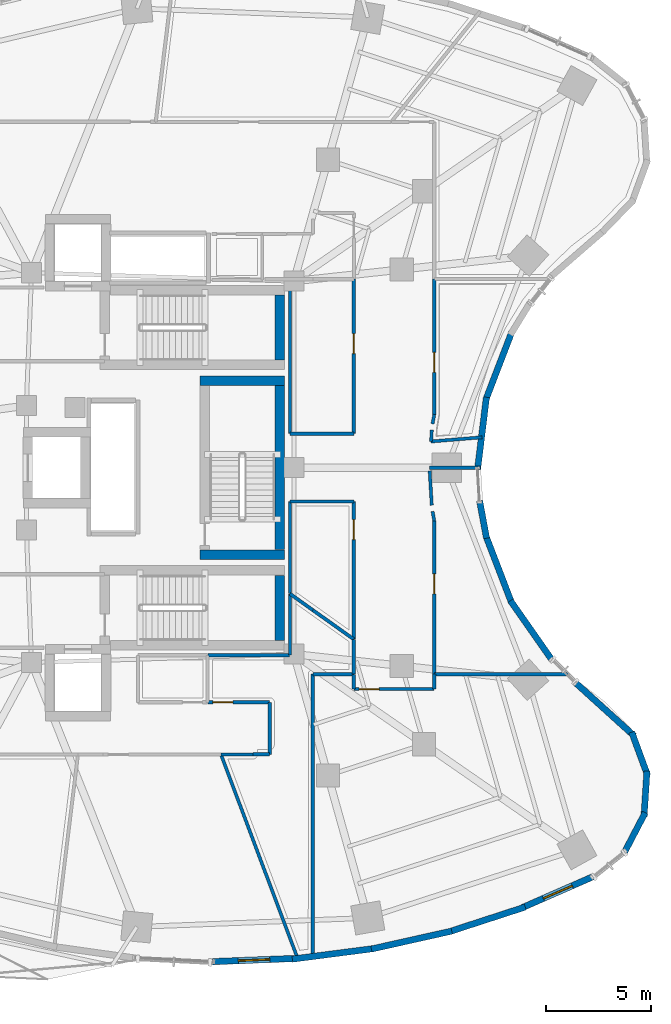
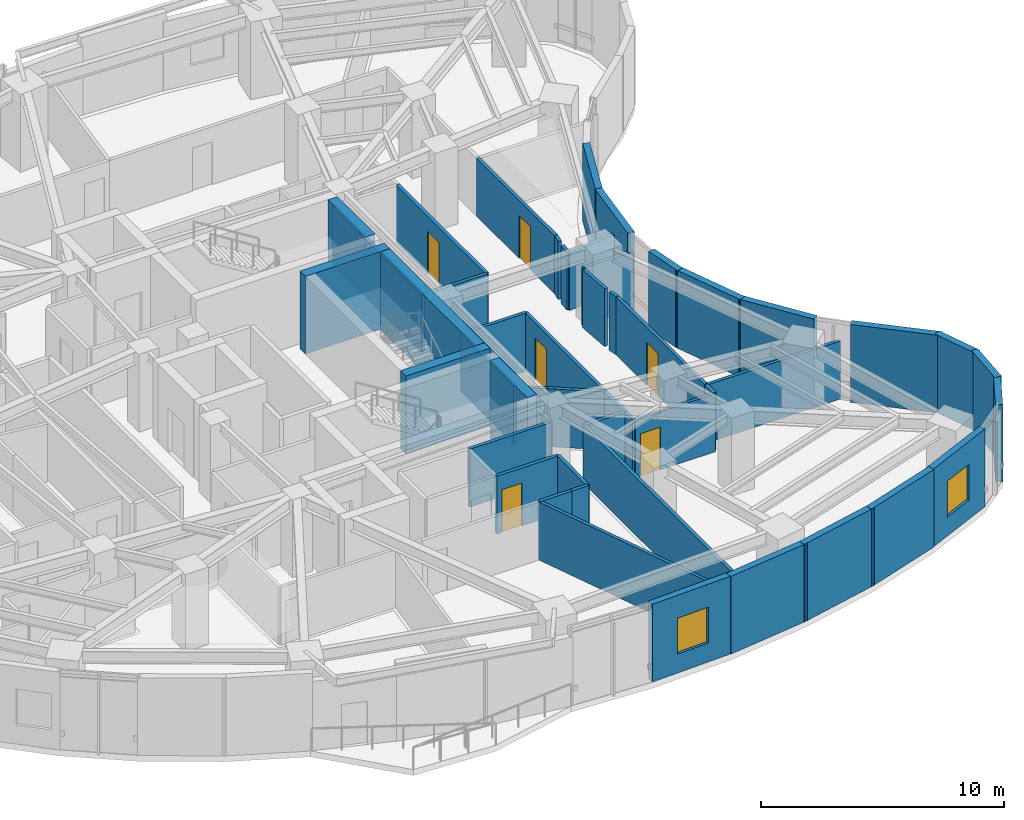
# One storey, part 10 of 16: 49 walls, 6 doors, 2 windows, 8 openings.
"""IFC4 building model written with IfcOpenShell, lengths in metres."""

from ifc_helpers import new_model, si_unit, direction, frame, frame_2d, origin, place, context, subcontext, project, spatial, rectangle, extrude, material, layer, layer_set, type_object, element, fill, save


model = new_model("IFC4")

# Units and contexts
model_context = context("Model", 3, precision=1e-05, world=origin(), true_north=direction((0.0, 1.0)))
body_context = subcontext(model_context, "Body", "Model", "MODEL_VIEW")
ifc_project = project(units=[si_unit("LENGTHUNIT", "METRE"), si_unit("AREAUNIT", "SQUARE_METRE"), si_unit("VOLUMEUNIT", "CUBIC_METRE"), si_unit("PLANEANGLEUNIT", "RADIAN"), si_unit("MASSUNIT", "GRAM", prefix="KILO")], contexts=[model_context])

# Site, building, storey
site_placement = place(None, origin())
site = spatial("IfcSite", under=ifc_project, at=site_placement, CompositionType="ELEMENT")
building_placement = place(site_placement, origin())
building = spatial("IfcBuilding", under=site, at=building_placement, Name="Korentha Bioscience Tower", CompositionType="ELEMENT")
storey_placement = place(building_placement, frame((0.0, 0.0, 55.199951171875)))
storey = spatial("IfcBuildingStorey", under=building, at=storey_placement, Name="L12", CompositionType="ELEMENT", Elevation=55.199951171875)

# Wall, opening, door
ifc_material_1 = material(Name="Double-Stud Acoustic Gypsum", Category="gypsum")
ifc_layer_1 = layer(ifc_material_1, 0.14990234375, Name="Double-Stud Acoustic Gypsum")
ifc_layer_set_1 = layer_set([ifc_layer_1], Name="Double-Stud Acoustic Gypsum (IW-L150)")
wall_type_1 = type_object("IfcWallType", Name="Acoustic Laboratory Partition Wall 150", PredefinedType="PARTITIONING", material=ifc_layer_set_1)
wall_1_placement = place(storey_placement, frame((40.39990234375, 16.489990234375, 0.0), z_axis=(0.0, 0.0, 1.0), x_axis=(1.0, 0.0, 0.0)))
wall_1 = element("IfcWall", 1, at=wall_1_placement, inside=storey, type_object=wall_type_1, Name="L12 Research Group Leader Office 08 Entrance Wall", PredefinedType="PARTITIONING", context=body_context, shape_type="SweptSolid", body=[
    extrude(rectangle(XDim=3.800048828125, YDim=0.14990234375, at=frame_2d((1.89990234375, 0.0))), origin(), (0.0, 0.0, 1.0), 2.91015625),
])
opening_1_placement = place(wall_1_placement, frame((0.239990234375, 0.0, 0.0)))
opening_1 = element("IfcOpeningElement", 2, at=opening_1_placement, cuts=wall_1, Name="Opening ID-10R", PredefinedType="OPENING", context=body_context, shape_type="SweptSolid", body=[
    extrude(rectangle(XDim=0.949951171875, YDim=2.14990234375, at=frame_2d((0.47509765625, 1.074951171875))), frame((0.0, 0.08984375, 0.0), z_axis=(0.0, -1.0, 0.0), x_axis=(1.0, 0.0, 0.0)), (0.0, 0.0, 1.0), 0.1796875),
])
ifc_material_2 = material(Name="Phenolic Laminate Timber Core", Category="wood")
door_type_1 = type_object("IfcDoorType", Name="Laboratory Single Leaf Door 950x2150 Right", OperationType="SINGLE_SWING_RIGHT", PredefinedType="DOOR", material=ifc_material_2)
door_1_placement = place(opening_1_placement, origin())
door_1 = element("IfcDoor", 3, at=door_1_placement, inside=storey, type_object=door_type_1, Name="L12 Research Group Leader Office 08 Door", OperationType="SINGLE_SWING_RIGHT", OverallHeight=2.14990234375, OverallWidth=0.949951171875, PredefinedType="DOOR", context=body_context, shape_type="SweptSolid", body=[
    extrude(rectangle(XDim=0.949951171875, YDim=2.14990234375, at=frame_2d((0.47509765625, 1.074951171875))), frame((0.0, 0.02490234375, 0.0), z_axis=(0.0, -1.0, 0.0), x_axis=(1.0, 0.0, 0.0)), (0.0, 0.0, 1.0), 0.050048828125),
])
fill(opening_1, door_1)

wall_2_placement = place(storey_placement, frame((40.389892578125, 25.389892578125, 0.0), z_axis=(0.0, 0.0, 1.0), x_axis=(0.0, -1.0, 0.0)))
wall_2 = element("IfcWall", 4, at=wall_2_placement, inside=storey, type_object=wall_type_1, Name="L12 Data Visualization Collaboration Hub 09 Entrance Wall", PredefinedType="PARTITIONING", context=body_context, shape_type="SweptSolid", body=[
    extrude(rectangle(XDim=6.523193359375, YDim=0.14990234375, at=frame_2d((3.26171875, 0.0))), origin(), (0.0, 0.0, 1.0), 2.91015625),
])
opening_2_placement = place(wall_2_placement, frame((0.854736328125, 0.0, 0.0)))
opening_2 = element("IfcOpeningElement", 5, at=opening_2_placement, cuts=wall_2, Name="Opening ID-10L", PredefinedType="OPENING", context=body_context, shape_type="SweptSolid", body=[
    extrude(rectangle(XDim=0.949951171875, YDim=2.14990234375, at=frame_2d((0.47509765625, 1.074951171875))), frame((0.0, 0.08984375, 0.0), z_axis=(0.0, -1.0, 0.0), x_axis=(1.0, 0.0, 0.0)), (0.0, 0.0, 1.0), 0.1796875),
])
door_type_2 = type_object("IfcDoorType", Name="Laboratory Single Leaf Door 950x2150 Left", OperationType="SINGLE_SWING_LEFT", PredefinedType="DOOR", material=ifc_material_2)
door_2_placement = place(opening_2_placement, origin())
door_2 = element("IfcDoor", 6, at=door_2_placement, inside=storey, type_object=door_type_2, Name="L12 Data Visualization Collaboration Hub 09 Door", OperationType="SINGLE_SWING_LEFT", OverallHeight=2.14990234375, OverallWidth=0.949951171875, PredefinedType="DOOR", context=body_context, shape_type="SweptSolid", body=[
    extrude(rectangle(XDim=0.949951171875, YDim=2.14990234375, at=frame_2d((0.47509765625, 1.074951171875))), frame((0.0, 0.02490234375, 0.0), z_axis=(0.0, -1.0, 0.0), x_axis=(1.0, 0.0, 0.0)), (0.0, 0.0, 1.0), 0.050048828125),
])
fill(opening_2, door_2)

wall_3_placement = place(storey_placement, frame((44.2099609375, 17.2080078125, 0.0), z_axis=(0.0, 0.0, 1.0), x_axis=(0.0, 1.0, 0.0)))
wall_3 = element("IfcWall", 7, at=wall_3_placement, inside=storey, type_object=wall_type_1, Name="L12 Colloquium Huddle Room 10 Entrance Wall", PredefinedType="PARTITIONING", context=body_context, shape_type="SweptSolid", body=[
    extrude(rectangle(XDim=7.262451171875, YDim=0.14990234375, at=frame_2d((3.63134765625, 0.0))), origin(), (0.0, 0.0, 1.0), 2.91015625),
])
opening_3_placement = place(wall_3_placement, frame((3.806396484375, 0.0, 0.0)))
opening_3 = element("IfcOpeningElement", 8, at=opening_3_placement, cuts=wall_3, Name="Opening ID-10R", PredefinedType="OPENING", context=body_context, shape_type="SweptSolid", body=[
    extrude(rectangle(XDim=0.949951171875, YDim=2.14990234375, at=frame_2d((0.47509765625, 1.074951171875))), frame((0.0, 0.08984375, 0.0), z_axis=(0.0, -1.0, 0.0), x_axis=(1.0, 0.0, 0.0)), (0.0, 0.0, 1.0), 0.1796875),
])
door_3_placement = place(opening_3_placement, origin())
door_3 = element("IfcDoor", 9, at=door_3_placement, inside=storey, type_object=door_type_1, Name="L12 Colloquium Huddle Room 10 Door", OperationType="SINGLE_SWING_RIGHT", OverallHeight=2.14990234375, OverallWidth=0.949951171875, PredefinedType="DOOR", context=body_context, shape_type="SweptSolid", body=[
    extrude(rectangle(XDim=0.949951171875, YDim=2.14990234375, at=frame_2d((0.47509765625, 1.074951171875))), frame((0.0, 0.02490234375, 0.0), z_axis=(0.0, -1.0, 0.0), x_axis=(1.0, 0.0, 0.0)), (0.0, 0.0, 1.0), 0.050048828125),
])
fill(opening_3, door_3)

wall_4_placement = place(storey_placement, frame((44.2099609375, 29.529541015625, 0.0), z_axis=(0.0, 0.0, 1.0), x_axis=(0.0, 1.0, 0.0)))
wall_4 = element("IfcWall", 10, at=wall_4_placement, inside=storey, type_object=wall_type_1, Name="L12 Staff Kitchenette and Dining Nook 11 Entrance Wall", PredefinedType="PARTITIONING", context=body_context, shape_type="SweptSolid", body=[
    extrude(rectangle(XDim=6.41845703125, YDim=0.14990234375, at=frame_2d((3.209228515625, 0.0))), origin(), (0.0, 0.0, 1.0), 2.91015625),
])
opening_4_placement = place(wall_4_placement, frame((1.992431640625, 0.0, 0.0)))
opening_4 = element("IfcOpeningElement", 11, at=opening_4_placement, cuts=wall_4, Name="Opening ID-10L", PredefinedType="OPENING", context=body_context, shape_type="SweptSolid", body=[
    extrude(rectangle(XDim=0.949951171875, YDim=2.14990234375, at=frame_2d((0.47509765625, 1.074951171875))), frame((0.0, 0.08984375, 0.0), z_axis=(0.0, -1.0, 0.0), x_axis=(1.0, 0.0, 0.0)), (0.0, 0.0, 1.0), 0.1796875),
])
door_4_placement = place(opening_4_placement, origin())
door_4 = element("IfcDoor", 12, at=door_4_placement, inside=storey, type_object=door_type_2, Name="L12 Staff Kitchenette and Dining Nook 11 Door", OperationType="SINGLE_SWING_LEFT", OverallHeight=2.14990234375, OverallWidth=0.949951171875, PredefinedType="DOOR", context=body_context, shape_type="SweptSolid", body=[
    extrude(rectangle(XDim=0.949951171875, YDim=2.14990234375, at=frame_2d((0.47509765625, 1.074951171875))), frame((0.0, 0.02490234375, 0.0), z_axis=(0.0, -1.0, 0.0), x_axis=(1.0, 0.0, 0.0)), (0.0, 0.0, 1.0), 0.050048828125),
])
fill(opening_4, door_4)

# Walls
wall_5_placement = place(storey_placement, frame((34.087158203125, 13.389892578125, 0.0), z_axis=(0.0, 0.0, 1.0), x_axis=(0.351837225237, -0.936061198286, 0.0)))
element("IfcWall", 13, at=wall_5_placement, inside=storey, type_object=wall_type_1, Name="L12 Interior Partition 046", PredefinedType="PARTITIONING", context=body_context, shape_type="SweptSolid", body=[
    extrude(rectangle(XDim=10.456298828125, YDim=0.14990234375, at=frame_2d((5.22802734375, 0.0))), origin(), (0.0, 0.0, 1.0), 2.91015625),
])
wall_6_placement = place(storey_placement, frame((40.389892578125, 17.19189453125, 0.0), z_axis=(0.0, 0.0, 1.0), x_axis=(0.0, -1.0, 0.0)))
element("IfcWall", 14, at=wall_6_placement, inside=storey, type_object=wall_type_1, Name="L12 Interior Partition 058", PredefinedType="PARTITIONING", context=body_context, shape_type="SweptSolid", body=[
    extrude(rectangle(XDim=0.69189453125, YDim=0.14990234375, at=frame_2d((0.345947265625, 0.0))), origin(), (0.0, 0.0, 1.0), 2.91015625),
])
wall_7_placement = place(storey_placement, frame((44.2099609375, 16.5, 0.0), z_axis=(0.0, 0.0, 1.0), x_axis=(0.0, 1.0, 0.0)))
element("IfcWall", 15, at=wall_7_placement, inside=storey, type_object=wall_type_1, Name="L12 Interior Partition 059", PredefinedType="PARTITIONING", context=body_context, shape_type="SweptSolid", body=[
    extrude(rectangle(XDim=0.697998046875, YDim=0.14990234375, at=frame_2d((0.34912109375, 0.0))), origin(), (0.0, 0.0, 1.0), 2.91015625),
])
wall_8_placement = place(storey_placement, frame((44.2099609375, 17.197998046875, 0.0), z_axis=(0.0, 0.0, 1.0), x_axis=(1.0, 0.0, 0.0)))
element("IfcWall", 16, at=wall_8_placement, inside=storey, type_object=wall_type_1, Name="L12 Interior Partition 060", PredefinedType="PARTITIONING", context=body_context, shape_type="SweptSolid", body=[
    extrude(rectangle(XDim=6.347900390625, YDim=0.14990234375, at=frame_2d((3.173828125, 0.0))), origin(), (0.0, 0.0, 1.0), 2.91015625),
])
wall_9_placement = place(storey_placement, frame((37.360107421875, 21.025634765625, 0.0), z_axis=(0.0, 0.0, 1.0), x_axis=(0.0, 1.0, 0.0)))
element("IfcWall", 17, at=wall_9_placement, inside=storey, type_object=wall_type_1, Name="L12 Interior Partition 061", PredefinedType="PARTITIONING", context=body_context, shape_type="SweptSolid", body=[
    extrude(rectangle(XDim=4.3642578125, YDim=0.14990234375, at=frame_2d((2.18212890625, 0.0))), origin(), (0.0, 0.0, 1.0), 2.91015625),
])
wall_10_placement = place(storey_placement, frame((37.360107421875, 25.389892578125, 0.0), z_axis=(0.0, 0.0, 1.0), x_axis=(1.0, 0.0, 0.0)))
element("IfcWall", 18, at=wall_10_placement, inside=storey, type_object=wall_type_1, Name="L12 Interior Partition 062", PredefinedType="PARTITIONING", context=body_context, shape_type="SweptSolid", body=[
    extrude(rectangle(XDim=3.02978515625, YDim=0.14990234375, at=frame_2d((1.514892578125, 0.0))), origin(), (0.0, 0.0, 1.0), 2.91015625),
])
wall_11_placement = place(storey_placement, frame((44.209716796875, 24.47216796875, 0.0), z_axis=(0.0, 0.0, 1.0), x_axis=(-0.181936414242, 0.983310297502, 0.0)))
element("IfcWall", 19, at=wall_11_placement, inside=storey, type_object=wall_type_1, Name="L12 Interior Partition 063", PredefinedType="PARTITIONING", context=body_context, shape_type="SweptSolid", body=[
    extrude(rectangle(XDim=0.45751953125, YDim=0.14990234375, at=frame_2d((0.228759765625, 0.0))), origin(), (0.0, 0.0, 1.0), 2.91015625),
])
wall_12_placement = place(storey_placement, frame((44.090087890625, 25.217041015625, 0.0), z_axis=(0.0, 0.0, 1.0), x_axis=(-0.060976688407, 0.998139190429, 0.0)))
element("IfcWall", 20, at=wall_12_placement, inside=storey, type_object=wall_type_1, Name="L12 Interior Partition 064", PredefinedType="PARTITIONING", context=body_context, shape_type="SweptSolid", body=[
    extrude(rectangle(XDim=1.637451171875, YDim=0.14990234375, at=frame_2d((0.81884765625, 0.0))), origin(), (0.0, 0.0, 1.0), 2.91015625),
])
wall_13_placement = place(storey_placement, frame((43.986083984375, 26.998046875, 0.0), z_axis=(0.0, 0.0, 1.0), x_axis=(1.0, 0.0, 0.0)))
element("IfcWall", 21, at=wall_13_placement, inside=storey, type_object=wall_type_1, Name="L12 Interior Partition 065", PredefinedType="PARTITIONING", context=body_context, shape_type="SweptSolid", body=[
    extrude(rectangle(XDim=2.40966796875, YDim=0.14990234375, at=frame_2d((1.204833984375, 0.0))), origin(), (0.0, 0.0, 1.0), 2.91015625),
])
wall_14_placement = place(storey_placement, frame((46.481201171875, 28.44140625, 0.0), z_axis=(0.0, 0.0, 1.0), x_axis=(-0.996639947051, -0.081907361949, 0.0)))
element("IfcWall", 22, at=wall_14_placement, inside=storey, type_object=wall_type_1, Name="L12 Interior Partition 066", PredefinedType="PARTITIONING", context=body_context, shape_type="SweptSolid", body=[
    extrude(rectangle(XDim=2.43212890625, YDim=0.14990234375, at=frame_2d((1.216064453125, 0.0))), origin(), (0.0, 0.0, 1.0), 2.91015625),
])
wall_15_placement = place(storey_placement, frame((44.05712890625, 28.2421875, 0.0), z_axis=(0.0, 0.0, 1.0), x_axis=(0.060835194707, 0.998147824265, 0.0)))
element("IfcWall", 23, at=wall_15_placement, inside=storey, type_object=wall_type_1, Name="L12 Interior Partition 067", PredefinedType="PARTITIONING", context=body_context, shape_type="SweptSolid", body=[
    extrude(rectangle(XDim=0.541748046875, YDim=0.14990234375, at=frame_2d((0.27099609375, 0.0))), origin(), (0.0, 0.0, 1.0), 2.91015625),
])
wall_16_placement = place(storey_placement, frame((44.12646484375, 29.077880859375, 0.0), z_axis=(0.0, 0.0, 1.0), x_axis=(0.181936414242, 0.983310297502, 0.0)))
element("IfcWall", 24, at=wall_16_placement, inside=storey, type_object=wall_type_1, Name="L12 Interior Partition 068", PredefinedType="PARTITIONING", context=body_context, shape_type="SweptSolid", body=[
    extrude(rectangle(XDim=0.45751953125, YDim=0.14990234375, at=frame_2d((0.228759765625, 0.0))), origin(), (0.0, 0.0, 1.0), 2.91015625),
])

# Wall, opening, door
ifc_material_3 = material(Name="Gypsum-Clad Steel Stud", Category="steel")
ifc_layer_2 = layer(ifc_material_3, 0.159912109375, Name="Gypsum-Clad Steel Stud")
ifc_layer_set_2 = layer_set([ifc_layer_2], Name="Gypsum-Clad Steel Stud (IW-C160)")
wall_type_2 = type_object("IfcWallType", Name="Fire-Rated Corridor Partition Wall 160", PredefinedType="PARTITIONING", material=ifc_layer_set_2)
wall_17_placement = place(storey_placement, frame((36.39990234375, 15.860107421875, 0.0), z_axis=(0.0, 0.0, 1.0), x_axis=(-1.0, 0.0, 0.0)))
wall_17 = element("IfcWall", 25, at=wall_17_placement, inside=storey, type_object=wall_type_2, Name="L12 Ultrapure Water Polisher Plant Alcove 07 Entrance Wall", PredefinedType="PARTITIONING", context=body_context, shape_type="SweptSolid", body=[
    extrude(rectangle(XDim=2.93994140625, YDim=0.159912109375, at=frame_2d((1.469970703125, 0.0))), origin(), (0.0, 0.0, 1.0), 2.91015625),
])
opening_5_placement = place(wall_17_placement, frame((1.75, 0.0, 0.0)))
opening_5 = element("IfcOpeningElement", 26, at=opening_5_placement, cuts=wall_17, Name="Opening FD-120D", PredefinedType="OPENING", context=body_context, shape_type="SweptSolid", body=[
    extrude(rectangle(XDim=0.949951171875, YDim=2.14990234375, at=frame_2d((0.47509765625, 1.074951171875))), frame((0.0, 0.0947265625, 0.0), z_axis=(0.0, -1.0, 0.0), x_axis=(1.0, 0.0, 0.0)), (0.0, 0.0, 1.0), 0.189697265625),
])
ifc_material_4 = material(Name="Heavy-Duty Insulated Steel", Category="steel")
door_type_3 = type_object("IfcDoorType", Name="Plant & Riser Fire Door 950x2150 Left", OperationType="SINGLE_SWING_LEFT", PredefinedType="DOOR", material=ifc_material_4)
door_5_placement = place(opening_5_placement, origin())
door_5 = element("IfcDoor", 27, at=door_5_placement, inside=storey, type_object=door_type_3, Name="L12 Ultrapure Water Polisher Plant Alcove 07 Door", OperationType="SINGLE_SWING_LEFT", OverallHeight=2.14990234375, OverallWidth=0.949951171875, PredefinedType="DOOR", context=body_context, shape_type="SweptSolid", body=[
    extrude(rectangle(XDim=0.949951171875, YDim=2.14990234375, at=frame_2d((0.47509765625, 1.074951171875))), frame((0.0, 0.02490234375, 0.0), z_axis=(0.0, -1.0, 0.0), x_axis=(1.0, 0.0, 0.0)), (0.0, 0.0, 1.0), 0.050048828125),
])
fill(opening_5, door_5)

wall_18_placement = place(storey_placement, frame((40.389892578125, 35.947998046875, 0.0), z_axis=(0.0, 0.0, 1.0), x_axis=(0.0, -1.0, 0.0)))
wall_18 = element("IfcWall", 28, at=wall_18_placement, inside=storey, type_object=wall_type_2, Name="L12 Specimen Barcoding Receiving Room 12 Entrance Wall", PredefinedType="PARTITIONING", context=body_context, shape_type="SweptSolid", body=[
    extrude(rectangle(XDim=7.337890625, YDim=0.159912109375, at=frame_2d((3.6689453125, 0.0))), origin(), (0.0, 0.0, 1.0), 2.91015625),
])
opening_6_placement = place(wall_18_placement, frame((2.587890625, 0.0, 0.0)))
opening_6 = element("IfcOpeningElement", 29, at=opening_6_placement, cuts=wall_18, Name="Opening ID-10R", PredefinedType="OPENING", context=body_context, shape_type="SweptSolid", body=[
    extrude(rectangle(XDim=0.949951171875, YDim=2.14990234375, at=frame_2d((0.47509765625, 1.074951171875))), frame((0.0, 0.0947265625, 0.0), z_axis=(0.0, -1.0, 0.0), x_axis=(1.0, 0.0, 0.0)), (0.0, 0.0, 1.0), 0.189697265625),
])
door_6_placement = place(opening_6_placement, origin())
door_6 = element("IfcDoor", 30, at=door_6_placement, inside=storey, type_object=door_type_1, Name="L12 Specimen Barcoding Receiving Room 12 Door", OperationType="SINGLE_SWING_RIGHT", OverallHeight=2.14990234375, OverallWidth=0.949951171875, PredefinedType="DOOR", context=body_context, shape_type="SweptSolid", body=[
    extrude(rectangle(XDim=0.949951171875, YDim=2.14990234375, at=frame_2d((0.47509765625, 1.074951171875))), frame((0.0, 0.02490234375, 0.0), z_axis=(0.0, -1.0, 0.0), x_axis=(1.0, 0.0, 0.0)), (0.0, 0.0, 1.0), 0.050048828125),
])
fill(opening_6, door_6)

# Walls
wall_19_placement = place(storey_placement, frame((38.4521484375, 20.236572265625, 0.0), z_axis=(0.0, 0.0, 1.0), x_axis=(0.814086766517, -0.580743262192, 0.0)))
element("IfcWall", 31, at=wall_19_placement, inside=storey, type_object=wall_type_2, Name="L12 Interior Partition 047", PredefinedType="PARTITIONING", context=body_context, shape_type="SweptSolid", body=[
    extrude(rectangle(XDim=2.38037109375, YDim=0.159912109375, at=frame_2d((1.190185546875, 0.0))), origin(), (0.0, 0.0, 1.0), 2.91015625),
])
wall_20_placement = place(storey_placement, frame((40.389892578125, 18.854248046875, 0.0), z_axis=(0.0, 0.0, 1.0), x_axis=(0.0, -1.0, 0.0)))
element("IfcWall", 32, at=wall_20_placement, inside=storey, type_object=wall_type_2, Name="L12 Interior Partition 048", PredefinedType="PARTITIONING", context=body_context, shape_type="SweptSolid", body=[
    extrude(rectangle(XDim=1.65234375, YDim=0.159912109375, at=frame_2d((0.826171875, 0.0))), origin(), (0.0, 0.0, 1.0), 2.91015625),
])
wall_21_placement = place(storey_placement, frame((40.389892578125, 17.201904296875, 0.0), z_axis=(0.0, 0.0, 1.0), x_axis=(-1.0, 0.0, 0.0)))
element("IfcWall", 33, at=wall_21_placement, inside=storey, type_object=wall_type_2, Name="L12 Interior Partition 049", PredefinedType="PARTITIONING", context=body_context, shape_type="SweptSolid", body=[
    extrude(rectangle(XDim=1.937744140625, YDim=0.159912109375, at=frame_2d((0.96875, 0.0))), origin(), (0.0, 0.0, 1.0), 2.91015625),
])
wall_22_placement = place(storey_placement, frame((38.447998046875, 17.197998046875, 0.0), z_axis=(0.0, 0.0, 1.0), x_axis=(0.0, -1.0, 0.0)))
element("IfcWall", 34, at=wall_22_placement, inside=storey, type_object=wall_type_2, Name="L12 Interior Partition 050", PredefinedType="PARTITIONING", context=body_context, shape_type="SweptSolid", body=[
    extrude(rectangle(XDim=13.5126953125, YDim=0.159912109375, at=frame_2d((6.75634765625, 0.0))), origin(), (0.0, 0.0, 1.0), 2.91015625),
])
wall_23_placement = place(storey_placement, frame((34.097900390625, 13.389892578125, 0.0), z_axis=(0.0, 0.0, 1.0), x_axis=(1.0, 0.0, 0.0)))
element("IfcWall", 35, at=wall_23_placement, inside=storey, type_object=wall_type_2, Name="L12 Interior Partition 051", PredefinedType="PARTITIONING", context=body_context, shape_type="SweptSolid", body=[
    extrude(rectangle(XDim=1.502197265625, YDim=0.159912109375, at=frame_2d((0.7509765625, 0.0))), origin(), (0.0, 0.0, 1.0), 2.91015625),
])
wall_24_placement = place(storey_placement, frame((35.610107421875, 13.39990234375, 0.0), z_axis=(0.0, 0.0, 1.0), x_axis=(1.0, 0.0, 0.0)))
element("IfcWall", 36, at=wall_24_placement, inside=storey, type_object=wall_type_2, Name="L12 Interior Partition 053", PredefinedType="PARTITIONING", context=body_context, shape_type="SweptSolid", body=[
    extrude(rectangle(XDim=0.789794921875, YDim=0.159912109375, at=frame_2d((0.39501953125, 0.0))), origin(), (0.0, 0.0, 1.0), 2.91015625),
])
wall_25_placement = place(storey_placement, frame((36.39990234375, 13.39990234375, 0.0), z_axis=(0.0, 0.0, 1.0), x_axis=(0.004085258855, 0.999991655295, 0.0)))
element("IfcWall", 37, at=wall_25_placement, inside=storey, type_object=wall_type_2, Name="L12 Interior Partition 054", PredefinedType="PARTITIONING", context=body_context, shape_type="SweptSolid", body=[
    extrude(rectangle(XDim=2.4501953125, YDim=0.159912109375, at=frame_2d((1.22509765625, 0.0))), origin(), (0.0, 0.0, 1.0), 2.91015625),
])
wall_26_placement = place(storey_placement, frame((33.4599609375, 18.090087890625, 0.0), z_axis=(0.0, 0.0, 1.0), x_axis=(1.0, 0.0, 0.0)))
element("IfcWall", 38, at=wall_26_placement, inside=storey, type_object=wall_type_2, Name="L12 Interior Partition 055", PredefinedType="PARTITIONING", context=body_context, shape_type="SweptSolid", body=[
    extrude(rectangle(XDim=3.89013671875, YDim=0.159912109375, at=frame_2d((1.945068359375, 0.0))), origin(), (0.0, 0.0, 1.0), 2.91015625),
])
wall_27_placement = place(storey_placement, frame((37.360107421875, 18.10009765625, 0.0), z_axis=(0.0, 0.0, 1.0), x_axis=(0.0, 1.0, 0.0)))
element("IfcWall", 39, at=wall_27_placement, inside=storey, type_object=wall_type_2, Name="L12 Interior Partition 056", PredefinedType="PARTITIONING", context=body_context, shape_type="SweptSolid", body=[
    extrude(rectangle(XDim=2.91552734375, YDim=0.159912109375, at=frame_2d((1.457763671875, 0.0))), origin(), (0.0, 0.0, 1.0), 2.91015625),
])
wall_28_placement = place(storey_placement, frame((37.360107421875, 21.015625, 0.0), z_axis=(0.0, 0.0, 1.0), x_axis=(0.814066623235, -0.580771498039, 0.0)))
element("IfcWall", 40, at=wall_28_placement, inside=storey, type_object=wall_type_2, Name="L12 Interior Partition 057", PredefinedType="PARTITIONING", context=body_context, shape_type="SweptSolid", body=[
    extrude(rectangle(XDim=1.33642578125, YDim=0.159912109375, at=frame_2d((0.668212890625, 0.0))), origin(), (0.0, 0.0, 1.0), 2.91015625),
])
wall_29_placement = place(storey_placement, frame((40.389892578125, 28.610107421875, 0.0), z_axis=(0.0, 0.0, 1.0), x_axis=(-1.0, 0.0, 0.0)))
element("IfcWall", 41, at=wall_29_placement, inside=storey, type_object=wall_type_2, Name="L12 Interior Partition 072", PredefinedType="PARTITIONING", context=body_context, shape_type="SweptSolid", body=[
    extrude(rectangle(XDim=3.02978515625, YDim=0.159912109375, at=frame_2d((1.514892578125, 0.0))), origin(), (0.0, 0.0, 1.0), 2.91015625),
])
wall_30_placement = place(storey_placement, frame((37.360107421875, 28.610107421875, 0.0), z_axis=(0.0, 0.0, 1.0), x_axis=(0.0, 1.0, 0.0)))
element("IfcWall", 42, at=wall_30_placement, inside=storey, type_object=wall_type_2, Name="L12 Interior Partition 073", PredefinedType="PARTITIONING", context=body_context, shape_type="SweptSolid", body=[
    extrude(rectangle(XDim=7.289794921875, YDim=0.159912109375, at=frame_2d((3.64501953125, 0.0))), origin(), (0.0, 0.0, 1.0), 2.91015625),
])

# Wall, opening, window
ifc_material_5 = material(Name="Honed Limestone Precast Concrete C40", Category="masonry")
ifc_layer_3 = layer(ifc_material_5, 0.300048828125, Name="Honed Limestone Precast Concrete C40")
ifc_layer_set_3 = layer_set([ifc_layer_3], Name="Honed Limestone Precast Concrete C40 (EW-ST300)")
wall_type_3 = type_object("IfcWallType", Name="Honed Limestone Cavity Spandrel Wall 300", PredefinedType="STANDARD", material=ifc_layer_set_3)
wall_31_placement = place(storey_placement, frame((33.68701171875, 3.558349609375, 0.0), z_axis=(0.0, 0.0, 1.0), x_axis=(0.999247008469, 0.038799691558, 0.0)))
wall_31 = element("IfcWall", 43, at=wall_31_placement, inside=storey, type_object=wall_type_3, Name="L12 Honed Limestone Spandrel Wall 32", PredefinedType="STANDARD", context=body_context, shape_type="SweptSolid", body=[
    extrude(rectangle(XDim=3.93896484375, YDim=0.300048828125, at=frame_2d((1.969482421875, 0.0))), origin(), (0.0, 0.0, 1.0), 3.900146484375),
])
opening_7_placement = place(wall_31_placement, frame((1.219482421875, 0.0, 0.949951171875)))
opening_7 = element("IfcOpeningElement", 44, at=opening_7_placement, cuts=wall_31, Name="Opening WN-02", PredefinedType="OPENING", context=body_context, shape_type="SweptSolid", body=[
    extrude(rectangle(XDim=1.5, YDim=1.800048828125, at=frame_2d((0.75, 0.89990234375))), frame((0.0, 0.1650390625, 0.0), z_axis=(0.0, -1.0, 0.0), x_axis=(1.0, 0.0, 0.0)), (0.0, 0.0, 1.0), 0.329833984375),
])
ifc_material_6 = material(Name="Thermally Broken Aluminium Triple Glazing", Category="aluminium")
window_type = type_object("IfcWindowType", Name="Acoustic Operable Office Window 1500x1800", PartitioningType="DOUBLE_PANEL_VERTICAL", PredefinedType="WINDOW", material=ifc_material_6)
window_1_placement = place(opening_7_placement, origin())
window_1 = element("IfcWindow", 45, at=window_1_placement, inside=storey, type_object=window_type, Name="L12 Facade Window 32", OverallHeight=1.800048828125, OverallWidth=1.5, PartitioningType="DOUBLE_PANEL_VERTICAL", PredefinedType="WINDOW", context=body_context, shape_type="SweptSolid", body=[
    extrude(rectangle(XDim=1.5, YDim=1.800048828125, at=frame_2d((0.75, 0.89990234375))), frame((0.0, 0.030029296875, 0.0), z_axis=(0.0, -1.0, 0.0), x_axis=(1.0, 0.0, 0.0)), (0.0, 0.0, 1.0), 0.06005859375),
])
fill(opening_7, window_1)

wall_32_placement = place(storey_placement, frame((48.37255859375, 6.115478515625, 0.0), z_axis=(0.0, 0.0, 1.0), x_axis=(0.91593836551, 0.401318963652, 0.0)))
wall_32 = element("IfcWall", 46, at=wall_32_placement, inside=storey, type_object=wall_type_3, Name="L12 Honed Limestone Spandrel Wall 36", PredefinedType="STANDARD", context=body_context, shape_type="SweptSolid", body=[
    extrude(rectangle(XDim=3.712646484375, YDim=0.300048828125, at=frame_2d((1.8564453125, 0.0))), origin(), (0.0, 0.0, 1.0), 3.900146484375),
])
opening_8_placement = place(wall_32_placement, frame((1.106201171875, 0.0, 0.949951171875)))
opening_8 = element("IfcOpeningElement", 47, at=opening_8_placement, cuts=wall_32, Name="Opening WN-02", PredefinedType="OPENING", context=body_context, shape_type="SweptSolid", body=[
    extrude(rectangle(XDim=1.5, YDim=1.800048828125, at=frame_2d((0.75, 0.89990234375))), frame((0.0, 0.1650390625, 0.0), z_axis=(0.0, -1.0, 0.0), x_axis=(1.0, 0.0, 0.0)), (0.0, 0.0, 1.0), 0.329833984375),
])
window_2_placement = place(opening_8_placement, origin())
window_2 = element("IfcWindow", 48, at=window_2_placement, inside=storey, type_object=window_type, Name="L12 Facade Window 36", OverallHeight=1.800048828125, OverallWidth=1.5, PartitioningType="DOUBLE_PANEL_VERTICAL", PredefinedType="WINDOW", context=body_context, shape_type="SweptSolid", body=[
    extrude(rectangle(XDim=1.5, YDim=1.800048828125, at=frame_2d((0.75, 0.89990234375))), frame((0.0, 0.030029296875, 0.0), z_axis=(0.0, -1.0, 0.0), x_axis=(1.0, 0.0, 0.0)), (0.0, 0.0, 1.0), 0.06005859375),
])
fill(opening_8, window_2)

# Walls
wall_33_placement = place(storey_placement, frame((37.471923828125, 3.677734375, 0.0), z_axis=(0.0, 0.0, 1.0), x_axis=(0.991734095036, 0.128310111617, 0.0)))
element("IfcWall", 49, at=wall_33_placement, inside=storey, type_object=wall_type_3, Name="L12 Limestone Perimeter Closure Wall 33", PredefinedType="STANDARD", context=body_context, shape_type="SweptSolid", body=[
    extrude(rectangle(XDim=3.955810546875, YDim=0.300048828125, at=frame_2d((1.97802734375, 0.0))), origin(), (0.0, 0.0, 1.0), 3.900146484375),
])
wall_34_placement = place(storey_placement, frame((41.22509765625, 4.1552734375, 0.0), z_axis=(0.0, 0.0, 1.0), x_axis=(0.975868573345, 0.218358713032, 0.0)))
element("IfcWall", 50, at=wall_34_placement, inside=storey, type_object=wall_type_3, Name="L12 Limestone Perimeter Closure Wall 34", PredefinedType="STANDARD", context=body_context, shape_type="SweptSolid", body=[
    extrude(rectangle(XDim=3.90869140625, YDim=0.300048828125, at=frame_2d((1.954345703125, 0.0))), origin(), (0.0, 0.0, 1.0), 3.900146484375),
])
wall_35_placement = place(storey_placement, frame((44.872802734375, 4.963134765625, 0.0), z_axis=(0.0, 0.0, 1.0), x_axis=(0.950965833732, 0.309295947393, 0.0)))
element("IfcWall", 51, at=wall_35_placement, inside=storey, type_object=wall_type_3, Name="L12 Limestone Perimeter Closure Wall 35", PredefinedType="STANDARD", context=body_context, shape_type="SweptSolid", body=[
    extrude(rectangle(XDim=3.840087890625, YDim=0.300048828125, at=frame_2d((1.919921875, 0.0))), origin(), (0.0, 0.0, 1.0), 3.900146484375),
])
wall_36_placement = place(storey_placement, frame((53.20751953125, 8.691650390625, 0.0), z_axis=(0.0, 0.0, 1.0), x_axis=(0.463035066673, 0.886339961319, 0.0)))
element("IfcWall", 52, at=wall_36_placement, inside=storey, type_object=wall_type_3, Name="L12 Limestone Perimeter Closure Wall 38", PredefinedType="STANDARD", context=body_context, shape_type="SweptSolid", body=[
    extrude(rectangle(XDim=2.1875, YDim=0.300048828125, at=frame_2d((1.09375, 0.0))), origin(), (0.0, 0.0, 1.0), 3.900146484375),
])
for number, where, z_axis, x_axis, name in (
    (53, (54.16259765625, 10.42431640625, 0.0), (0.0, 0.0, 1.0), (0.064615302336, 0.99791024782, 0.0), "L12 Limestone Perimeter Closure Wall 39"),
    (54, (54.334716796875, 12.39501953125, 0.0), (0.0, 0.0, 1.0), (-0.344939866054, 0.938624785954, 0.0), "L12 Limestone Perimeter Closure Wall 40"),
):
    element("IfcWall", number, at=place(storey_placement, frame(where, z_axis=z_axis, x_axis=x_axis)), inside=storey, type_object=wall_type_3, Name=name, PredefinedType="STANDARD", context=body_context, shape_type="SweptSolid", body=[
        extrude(rectangle(XDim=2.187744140625, YDim=0.300048828125, at=frame_2d((1.09375, 0.0))), origin(), (0.0, 0.0, 1.0), 3.900146484375),
    ])
wall_37_placement = place(storey_placement, frame((53.704345703125, 14.26416015625, 0.0), z_axis=(0.0, 0.0, 1.0), x_axis=(-0.74117794387, 0.671308614216, 0.0)))
element("IfcWall", 55, at=wall_37_placement, inside=storey, type_object=wall_type_3, Name="L12 Limestone Perimeter Closure Wall 41", PredefinedType="STANDARD", context=body_context, shape_type="SweptSolid", body=[
    extrude(rectangle(XDim=3.815673828125, YDim=0.300048828125, at=frame_2d((1.90771484375, 0.0))), origin(), (0.0, 0.0, 1.0), 3.900146484375),
])
wall_38_placement = place(storey_placement, frame((49.79248046875, 17.8779296875, 0.0), z_axis=(0.0, 0.0, 1.0), x_axis=(-0.573576992806, 0.819151654655, 0.0)))
element("IfcWall", 56, at=wall_38_placement, inside=storey, type_object=wall_type_3, Name="L12 Limestone Perimeter Closure Wall 44", PredefinedType="STANDARD", context=body_context, shape_type="SweptSolid", body=[
    extrude(rectangle(XDim=3.429931640625, YDim=0.300048828125, at=frame_2d((1.71484375, 0.0))), origin(), (0.0, 0.0, 1.0), 3.900146484375),
])
wall_39_placement = place(storey_placement, frame((47.8837890625, 20.577392578125, 0.0), z_axis=(0.0, 0.0, 1.0), x_axis=(-0.358344570513, 0.933589400531, 0.0)))
element("IfcWall", 57, at=wall_39_placement, inside=storey, type_object=wall_type_3, Name="L12 Limestone Perimeter Closure Wall 46", PredefinedType="STANDARD", context=body_context, shape_type="SweptSolid", body=[
    extrude(rectangle(XDim=3.4296875, YDim=0.300048828125, at=frame_2d((1.71484375, 0.0))), origin(), (0.0, 0.0, 1.0), 3.900146484375),
])
wall_40_placement = place(storey_placement, frame((46.691162109375, 23.650390625, 0.0), z_axis=(0.0, 0.0, 1.0), x_axis=(-0.182230271073, 0.983255881399, 0.0)))
element("IfcWall", 58, at=wall_40_placement, inside=storey, type_object=wall_type_3, Name="L12 Limestone Perimeter Closure Wall 48", PredefinedType="STANDARD", context=body_context, shape_type="SweptSolid", body=[
    extrude(rectangle(XDim=1.7978515625, YDim=0.300048828125, at=frame_2d((0.89892578125, 0.0))), origin(), (0.0, 0.0, 1.0), 3.900146484375),
])
for number, where, z_axis, x_axis, name in (
    (59, (46.26708984375, 26.937744140625, 0.0), (0.0, 0.0, 1.0), (0.121870386032, 0.992546023622, 0.0), "L12 Limestone Perimeter Closure Wall 50"),
    (60, (46.65478515625, 30.220703125, 0.0), (0.0, 0.0, 1.0), (0.358344570513, 0.933589400531, 0.0), "L12 Limestone Perimeter Closure Wall 52"),
):
    element("IfcWall", number, at=place(storey_placement, frame(where, z_axis=z_axis, x_axis=x_axis)), inside=storey, type_object=wall_type_3, Name=name, PredefinedType="STANDARD", context=body_context, shape_type="SweptSolid", body=[
        extrude(rectangle(XDim=3.4296875, YDim=0.300048828125, at=frame_2d((1.71484375, 0.0))), origin(), (0.0, 0.0, 1.0), 3.900146484375),
    ])
ifc_material_7 = material(Name="Concrete C80", Category="concrete")
ifc_layer_4 = layer(ifc_material_7, 0.449951171875, Name="Concrete C80")
ifc_layer_set_4 = layer_set([ifc_layer_4], Name="Concrete C80 (CW-C80)")
wall_type_4 = type_object("IfcWallType", Name="Lower Core Shear Wall 450", PredefinedType="SHEAR", material=ifc_layer_set_4)
for number, where, z_axis, x_axis, name in (
    (61, (36.875, 32.110107421875, 0.0), (0.0, 0.0, 1.0), (0.0, 1.0, 0.0), "L12 Core Shear Wall ST1-E"),
    (62, (36.875, 18.81005859375, 0.0), (0.0, 0.0, 1.0), (0.0, 1.0, 0.0), "L12 Core Shear Wall ST2-E"),
):
    element("IfcWall", number, at=place(storey_placement, frame(where, z_axis=z_axis, x_axis=x_axis)), inside=storey, type_object=wall_type_4, Name=name, PredefinedType="SHEAR", context=body_context, shape_type="SweptSolid", body=[
        extrude(rectangle(XDim=3.079833984375, YDim=0.449951171875, at=frame_2d((1.5400390625, 0.0))), origin(), (0.0, 0.0, 1.0), 3.900146484375),
    ])
for number, where, z_axis, x_axis, name in (
    (63, (33.10009765625, 31.125, 0.0), (0.0, 0.0, 1.0), (1.0, 0.0, 0.0), "L12 Core Shear Wall ST3-N"),
    (64, (33.10009765625, 22.875, 0.0), (0.0, 0.0, 1.0), (1.0, 0.0, 0.0), "L12 Core Shear Wall ST3-S"),
):
    element("IfcWall", number, at=place(storey_placement, frame(where, z_axis=z_axis, x_axis=x_axis)), inside=storey, type_object=wall_type_4, Name=name, PredefinedType="SHEAR", context=body_context, shape_type="SweptSolid", body=[
        extrude(rectangle(XDim=4.0, YDim=0.449951171875, at=frame_2d((2.0, 0.0))), origin(), (0.0, 0.0, 1.0), 3.900146484375),
    ])
wall_41_placement = place(storey_placement, frame((36.875, 23.110107421875, 0.0), z_axis=(0.0, 0.0, 1.0), x_axis=(0.0, 1.0, 0.0)))
element("IfcWall", 65, at=wall_41_placement, inside=storey, type_object=wall_type_4, Name="L12 Core Shear Wall ST3-E", PredefinedType="SHEAR", context=body_context, shape_type="SweptSolid", body=[
    extrude(rectangle(XDim=7.77978515625, YDim=0.449951171875, at=frame_2d((3.889892578125, 0.0))), origin(), (0.0, 0.0, 1.0), 3.900146484375),
])

save(model, "model.ifc")
